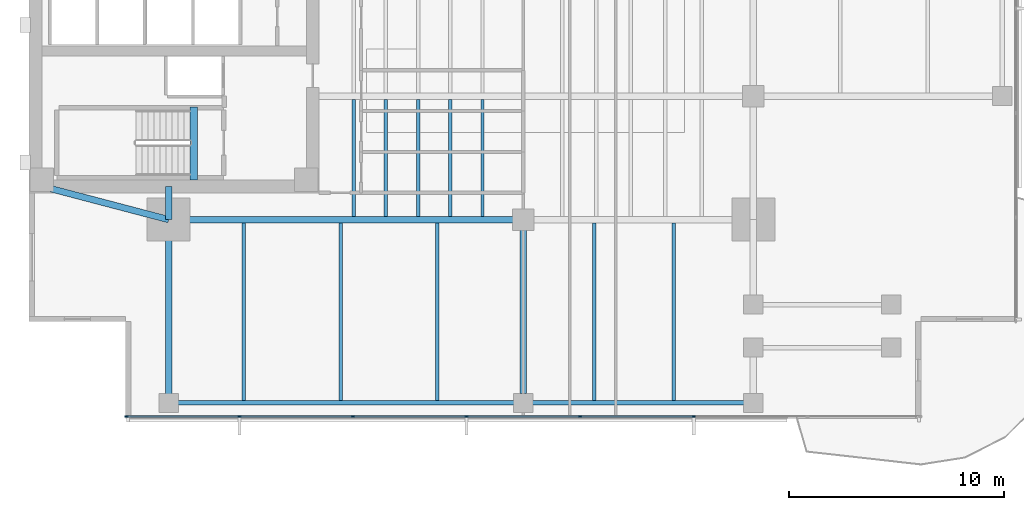
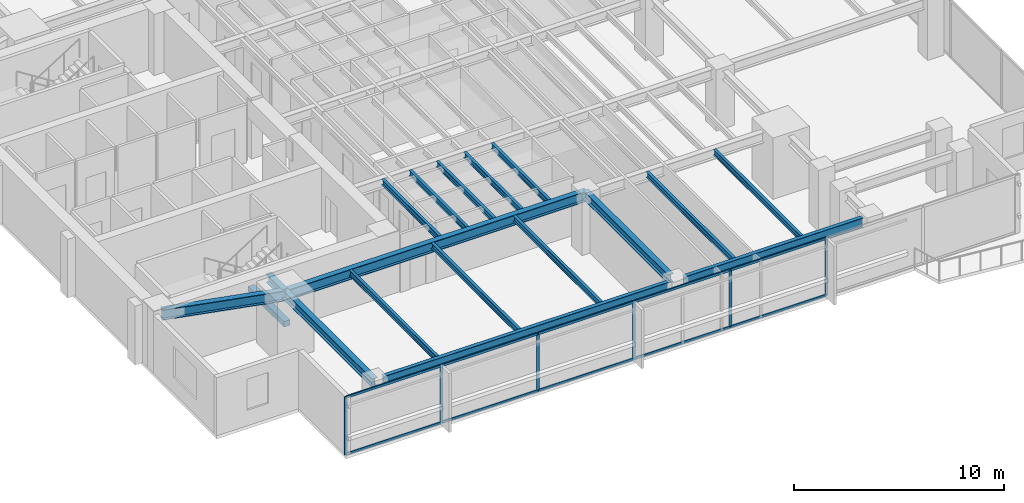
# One storey, part 2 of 14: 18 beams, 16 members, 1 element without a shape of its own.
"""IFC4 building model written with IfcOpenShell, lengths in metres."""

from ifc_helpers import new_model, si_unit, direction, frame, origin, origin_2d, place, context, subcontext, project, spatial, rectangle, i_section, extrude, material, layer, layer_set, material_profile, profile_set, type_object, element, aggregate, save


model = new_model("IFC4")

# Units and contexts
model_context = context("Model", 3, precision=1e-05, world=origin(), true_north=direction((0.0, 1.0)))
body_context = subcontext(model_context, "Body", "Model", "MODEL_VIEW")
ifc_project = project(units=[si_unit("LENGTHUNIT", "METRE"), si_unit("AREAUNIT", "SQUARE_METRE"), si_unit("VOLUMEUNIT", "CUBIC_METRE"), si_unit("PLANEANGLEUNIT", "RADIAN"), si_unit("MASSUNIT", "GRAM", prefix="KILO")], contexts=[model_context])

# Site, building, storey
site_placement = place(None, origin())
site = spatial("IfcSite", under=ifc_project, at=site_placement, CompositionType="ELEMENT")
building_placement = place(site_placement, origin())
building = spatial("IfcBuilding", under=site, at=building_placement, Name="Kinhvarn Gate Tower", CompositionType="ELEMENT")
storey_placement = place(building_placement, frame((0.0, 0.0, 162.60009765625)))
storey = spatial("IfcBuildingStorey", under=building, at=storey_placement, Name="L43", CompositionType="ELEMENT", Elevation=162.60009765625)

# Beam
ifc_material_1 = material(Name="Concrete C50/60", Category="concrete")
ifc_material_profile_1 = material_profile(ifc_material_1, rectangle(XDim=0.340087890625, YDim=0.320068359375, at=origin_2d()), Name="RC 340x320")
ifc_profile_set_1 = profile_set([ifc_material_profile_1], Name="Concrete C50/60")
beam_type_1 = type_object("IfcBeamType", Name="BM-LND-500", PredefinedType="BEAM", material=ifc_profile_set_1)
beam_1_placement = place(storey_placement, frame((12.1650390625, 14.60009765625, -0.16015625), z_axis=(0.0, 1.0, 0.0), x_axis=(-1.0, 0.0, 0.0)))
element("IfcBeam", 1, at=beam_1_placement, inside=storey, type_object=beam_type_1, Name="Stair ST1 Landing Nosing Beam (L43)", PredefinedType="BEAM", context=body_context, shape_type="SweptSolid", body=[
    extrude(rectangle(XDim=0.340087890625, YDim=0.320068359375, at=origin_2d()), origin(), (0.0, 0.0, 1.0), 3.39990234375),
])

# Curtain wall, members
ifc_material_2 = material(Name="Anodised aluminium AW-6063", Category="aluminium")
ifc_layer = layer(ifc_material_2, 0.179931640625)
ifc_layer_set = layer_set([ifc_layer], Name="Anodised aluminium AW-6063")
curtain_wall_type = type_object("IfcCurtainWallType", Name="CW-SYS-3", PredefinedType="NOTDEFINED", material=ifc_layer_set)
curtain_wall_placement = place(storey_placement, origin())
curtain_wall = element("IfcCurtainWall", 2, at=curtain_wall_placement, inside=storey, type_object=curtain_wall_type, Name="Curtain Wall CW3 (L43)", PredefinedType="NOTDEFINED")
ifc_material_profile_2 = material_profile(ifc_material_2, rectangle(XDim=0.06494140625, YDim=0.159912109375, at=origin_2d()), Name="ALU 65x160")
ifc_profile_set_2 = profile_set([ifc_material_profile_2], Name="Anodised aluminium AW-6063")
member_type_1 = type_object("IfcMemberType", Name="CW-MUL-160", PredefinedType="MULLION", material=ifc_profile_set_2)
member_1_placement = place(storey_placement, frame((9.032470703125, 3.590087890625, 0.0), z_axis=(0.0, 0.0, 1.0), x_axis=(0.0, 1.0, 0.0)))
member_1 = element("IfcMember", 3, at=member_1_placement, type_object=member_type_1, Name="CW3 mullion 1", PredefinedType="MULLION", context=body_context, shape_type="SweptSolid", body=[
    extrude(rectangle(XDim=0.06494140625, YDim=0.159912109375, at=origin_2d()), origin(), (0.0, 0.0, 1.0), 3.369873046875),
])
member_2_placement = place(storey_placement, frame((14.28564453125, 3.590087890625, 0.0), z_axis=(0.0, 0.0, 1.0), x_axis=(0.0, 1.0, 0.0)))
member_2 = element("IfcMember", 4, at=member_2_placement, type_object=member_type_1, Name="CW3 mullion 2", PredefinedType="MULLION", context=body_context, shape_type="SweptSolid", body=[
    extrude(rectangle(XDim=0.06494140625, YDim=0.159912109375, at=origin_2d()), origin(), (0.0, 0.0, 1.0), 3.369873046875),
])
member_3_placement = place(storey_placement, frame((19.571533203125, 3.590087890625, 0.0), z_axis=(0.0, 0.0, 1.0), x_axis=(0.0, 1.0, 0.0)))
member_3 = element("IfcMember", 5, at=member_3_placement, type_object=member_type_1, Name="CW3 mullion 3", PredefinedType="MULLION", context=body_context, shape_type="SweptSolid", body=[
    extrude(rectangle(XDim=0.06494140625, YDim=0.159912109375, at=origin_2d()), origin(), (0.0, 0.0, 1.0), 3.369873046875),
])
member_4_placement = place(storey_placement, frame((24.857177734375, 3.590087890625, 0.0), z_axis=(0.0, 0.0, 1.0), x_axis=(0.0, 1.0, 0.0)))
member_4 = element("IfcMember", 6, at=member_4_placement, type_object=member_type_1, Name="CW3 mullion 4", PredefinedType="MULLION", context=body_context, shape_type="SweptSolid", body=[
    extrude(rectangle(XDim=0.06494140625, YDim=0.159912109375, at=origin_2d()), origin(), (0.0, 0.0, 1.0), 3.369873046875),
])
member_5_placement = place(storey_placement, frame((30.142822265625, 3.590087890625, 0.0), z_axis=(0.0, 0.0, 1.0), x_axis=(0.0, 1.0, 0.0)))
member_5 = element("IfcMember", 7, at=member_5_placement, type_object=member_type_1, Name="CW3 mullion 5", PredefinedType="MULLION", context=body_context, shape_type="SweptSolid", body=[
    extrude(rectangle(XDim=0.06494140625, YDim=0.159912109375, at=origin_2d()), origin(), (0.0, 0.0, 1.0), 3.369873046875),
])
member_6_placement = place(storey_placement, frame((35.428466796875, 3.590087890625, 0.0), z_axis=(0.0, 0.0, 1.0), x_axis=(0.0, 1.0, 0.0)))
member_6 = element("IfcMember", 8, at=member_6_placement, type_object=member_type_1, Name="CW3 mullion 6", PredefinedType="MULLION", context=body_context, shape_type="SweptSolid", body=[
    extrude(rectangle(XDim=0.06494140625, YDim=0.159912109375, at=origin_2d()), origin(), (0.0, 0.0, 1.0), 3.369873046875),
])
ifc_material_profile_3 = material_profile(ifc_material_2, rectangle(XDim=0.070068359375, YDim=0.139892578125, at=origin_2d()), Name="ALU 70x140")
ifc_profile_set_3 = profile_set([ifc_material_profile_3], Name="Anodised aluminium AW-6063")
member_type_2 = type_object("IfcMemberType", Name="CW-TRN-140", PredefinedType="USERDEFINED", material=ifc_profile_set_3)
member_7_placement = place(storey_placement, frame((9.06494140625, 3.590087890625, 0.034912109375), z_axis=(1.0, 0.0, 0.0), x_axis=(0.0, 1.0, 0.0)))
member_7 = element("IfcMember", 9, at=member_7_placement, type_object=member_type_2, Name="CW3 transom 1.1", ObjectType="TRANSOM", PredefinedType="USERDEFINED", context=body_context, shape_type="SweptSolid", body=[
    extrude(rectangle(XDim=0.070068359375, YDim=0.139892578125, at=origin_2d()), origin(), (0.0, 0.0, 1.0), 5.188232421875),
])
member_8_placement = place(storey_placement, frame((9.06494140625, 3.590087890625, 3.3349609375), z_axis=(1.0, 0.0, 0.0), x_axis=(0.0, 1.0, 0.0)))
member_8 = element("IfcMember", 10, at=member_8_placement, type_object=member_type_2, Name="CW3 transom 1.2", ObjectType="TRANSOM", PredefinedType="USERDEFINED", context=body_context, shape_type="SweptSolid", body=[
    extrude(rectangle(XDim=0.070068359375, YDim=0.139892578125, at=origin_2d()), origin(), (0.0, 0.0, 1.0), 5.188232421875),
])
member_9_placement = place(storey_placement, frame((14.318115234375, 3.590087890625, 0.034912109375), z_axis=(1.0, 0.0, 0.0), x_axis=(0.0, 1.0, 0.0)))
member_9 = element("IfcMember", 11, at=member_9_placement, type_object=member_type_2, Name="CW3 transom 2.1", ObjectType="TRANSOM", PredefinedType="USERDEFINED", context=body_context, shape_type="SweptSolid", body=[
    extrude(rectangle(XDim=0.070068359375, YDim=0.139892578125, at=origin_2d()), origin(), (0.0, 0.0, 1.0), 5.220703125),
])
member_10_placement = place(storey_placement, frame((14.318115234375, 3.590087890625, 3.3349609375), z_axis=(1.0, 0.0, 0.0), x_axis=(0.0, 1.0, 0.0)))
member_10 = element("IfcMember", 12, at=member_10_placement, type_object=member_type_2, Name="CW3 transom 2.2", ObjectType="TRANSOM", PredefinedType="USERDEFINED", context=body_context, shape_type="SweptSolid", body=[
    extrude(rectangle(XDim=0.070068359375, YDim=0.139892578125, at=origin_2d()), origin(), (0.0, 0.0, 1.0), 5.220703125),
])
member_11_placement = place(storey_placement, frame((19.60400390625, 3.590087890625, 0.034912109375), z_axis=(1.0, 0.0, 0.0), x_axis=(0.0, 1.0, 0.0)))
member_11 = element("IfcMember", 13, at=member_11_placement, type_object=member_type_2, Name="CW3 transom 3.1", ObjectType="TRANSOM", PredefinedType="USERDEFINED", context=body_context, shape_type="SweptSolid", body=[
    extrude(rectangle(XDim=0.070068359375, YDim=0.139892578125, at=origin_2d()), origin(), (0.0, 0.0, 1.0), 5.220703125),
])
member_12_placement = place(storey_placement, frame((19.60400390625, 3.590087890625, 3.3349609375), z_axis=(1.0, 0.0, 0.0), x_axis=(0.0, 1.0, 0.0)))
member_12 = element("IfcMember", 14, at=member_12_placement, type_object=member_type_2, Name="CW3 transom 3.2", ObjectType="TRANSOM", PredefinedType="USERDEFINED", context=body_context, shape_type="SweptSolid", body=[
    extrude(rectangle(XDim=0.070068359375, YDim=0.139892578125, at=origin_2d()), origin(), (0.0, 0.0, 1.0), 5.220703125),
])
member_13_placement = place(storey_placement, frame((24.8896484375, 3.590087890625, 0.034912109375), z_axis=(1.0, 0.0, 0.0), x_axis=(0.0, 1.0, 0.0)))
member_13 = element("IfcMember", 15, at=member_13_placement, type_object=member_type_2, Name="CW3 transom 4.1", ObjectType="TRANSOM", PredefinedType="USERDEFINED", context=body_context, shape_type="SweptSolid", body=[
    extrude(rectangle(XDim=0.070068359375, YDim=0.139892578125, at=origin_2d()), origin(), (0.0, 0.0, 1.0), 5.220703125),
])
member_14_placement = place(storey_placement, frame((24.8896484375, 3.590087890625, 3.3349609375), z_axis=(1.0, 0.0, 0.0), x_axis=(0.0, 1.0, 0.0)))
member_14 = element("IfcMember", 16, at=member_14_placement, type_object=member_type_2, Name="CW3 transom 4.2", ObjectType="TRANSOM", PredefinedType="USERDEFINED", context=body_context, shape_type="SweptSolid", body=[
    extrude(rectangle(XDim=0.070068359375, YDim=0.139892578125, at=origin_2d()), origin(), (0.0, 0.0, 1.0), 5.220703125),
])
member_15_placement = place(storey_placement, frame((30.17529296875, 3.590087890625, 0.034912109375), z_axis=(1.0, 0.0, 0.0), x_axis=(0.0, 1.0, 0.0)))
member_15 = element("IfcMember", 17, at=member_15_placement, type_object=member_type_2, Name="CW3 transom 5.1", ObjectType="TRANSOM", PredefinedType="USERDEFINED", context=body_context, shape_type="SweptSolid", body=[
    extrude(rectangle(XDim=0.070068359375, YDim=0.139892578125, at=origin_2d()), origin(), (0.0, 0.0, 1.0), 5.220703125),
])
member_16_placement = place(storey_placement, frame((30.17529296875, 3.590087890625, 3.3349609375), z_axis=(1.0, 0.0, 0.0), x_axis=(0.0, 1.0, 0.0)))
member_16 = element("IfcMember", 18, at=member_16_placement, type_object=member_type_2, Name="CW3 transom 5.2", ObjectType="TRANSOM", PredefinedType="USERDEFINED", context=body_context, shape_type="SweptSolid", body=[
    extrude(rectangle(XDim=0.070068359375, YDim=0.139892578125, at=origin_2d()), origin(), (0.0, 0.0, 1.0), 5.220703125),
])
aggregate(curtain_wall, [member_1, member_2, member_3, member_4, member_5, member_6, member_7, member_8, member_9, member_10, member_11, member_12, member_13, member_14, member_15, member_16])

# Beams
ifc_material_3 = material(Name="Steel S355", Category="steel")
ifc_material_profile_4 = material_profile(ifc_material_3, i_section(OverallWidth=0.300048828125, OverallDepth=0.5, WebThickness=0.014404296875, FlangeThickness=0.028076171875, at=origin_2d()), Name="HEB 500")
ifc_profile_set_4 = profile_set([ifc_material_profile_4], Name="Steel S355")
beam_type_2 = type_object("IfcBeamType", Name="STL-HEB500", PredefinedType="BEAM", material=ifc_profile_set_4)
beam_2_placement = place(storey_placement, frame((11.0, 4.219970703125, 3.119873046875), z_axis=(0.0, 1.0, 0.0), x_axis=(-1.0, 0.0, 0.0)))
element("IfcBeam", 19, at=beam_2_placement, inside=storey, type_object=beam_type_2, Name="Floor Beam PG-14 (L43 MCW-S)", PredefinedType="BEAM", context=body_context, shape_type="SweptSolid", body=[
    extrude(i_section(OverallWidth=0.300048828125, OverallDepth=0.5, WebThickness=0.014404296875, FlangeThickness=0.028076171875, at=origin_2d()), origin(), (0.0, 0.0, 1.0), 8.530029296875),
])
beam_3_placement = place(storey_placement, frame((11.0, 12.75, 3.119873046875), z_axis=(0.0, 1.0, 0.0), x_axis=(-1.0, 0.0, 0.0)))
element("IfcBeam", 20, at=beam_3_placement, inside=storey, type_object=beam_type_2, Name="Floor Beam PG-14 (L43 MCW-CS)", PredefinedType="BEAM", context=body_context, shape_type="SweptSolid", body=[
    extrude(i_section(OverallWidth=0.300048828125, OverallDepth=0.5, WebThickness=0.014404296875, FlangeThickness=0.028076171875, at=origin_2d()), origin(), (0.0, 0.0, 1.0), 1.550048828125),
])
beam_4_placement = place(storey_placement, frame((27.5, 4.655029296875, 3.119873046875), z_axis=(0.0, 1.0, 0.0), x_axis=(-1.0, 0.0, 0.0)))
element("IfcBeam", 21, at=beam_4_placement, inside=storey, type_object=beam_type_2, Name="Floor Beam PG-14 (L43 SP27-S-TIE)", PredefinedType="BEAM", context=body_context, shape_type="SweptSolid", body=[
    extrude(i_section(OverallWidth=0.300048828125, OverallDepth=0.5, WebThickness=0.014404296875, FlangeThickness=0.028076171875, at=origin_2d()), origin(), (0.0, 0.0, 1.0), 8.094970703125),
])
ifc_material_profile_5 = material_profile(ifc_material_3, i_section(OverallWidth=0.300048828125, OverallDepth=0.60009765625, WebThickness=0.015380859375, FlangeThickness=0.030029296875, at=origin_2d()), Name="HEB 600")
ifc_profile_set_5 = profile_set([ifc_material_profile_5], Name="Steel S355")
beam_type_3 = type_object("IfcBeamType", Name="STL-HEB600", PredefinedType="BEAM", material=ifc_profile_set_5)
beam_5_placement = place(storey_placement, frame((11.0, 12.75, 3.06982421875), z_axis=(1.0, 0.0, 0.0), x_axis=(0.0, 1.0, 0.0)))
element("IfcBeam", 22, at=beam_5_placement, inside=storey, type_object=beam_type_3, Name="Floor Beam PG-16 (L43 MG-S1)", PredefinedType="BEAM", context=body_context, shape_type="SweptSolid", body=[
    extrude(i_section(OverallWidth=0.300048828125, OverallDepth=0.60009765625, WebThickness=0.015380859375, FlangeThickness=0.030029296875, at=origin_2d()), origin(), (0.0, 0.0, 1.0), 16.5),
])
beam_6_placement = place(storey_placement, frame((5.10009765625, 14.300048828125, 3.06982421875), z_axis=(0.967177623957, -0.254101246979, 0.0), x_axis=(0.254101246979, 0.967177623957, 0.0)))
element("IfcBeam", 23, at=beam_6_placement, inside=storey, type_object=beam_type_3, Name="Floor Beam PG-16 (L43 MG-SW-DIAG)", PredefinedType="BEAM", context=body_context, shape_type="SweptSolid", body=[
    extrude(i_section(OverallWidth=0.300048828125, OverallDepth=0.60009765625, WebThickness=0.015380859375, FlangeThickness=0.030029296875, at=origin_2d()), origin(), (0.0, 0.0, 1.0), 6.10009765625),
])
ifc_material_profile_6 = material_profile(ifc_material_3, i_section(OverallWidth=0.159912109375, OverallDepth=0.330078125, WebThickness=0.007568359375, FlangeThickness=0.011474609375, at=origin_2d()), Name="IPE 330")
ifc_profile_set_6 = profile_set([ifc_material_profile_6], Name="Steel S355")
beam_type_4 = type_object("IfcBeamType", Name="STL-IPE330", PredefinedType="JOIST", material=ifc_profile_set_6)
for number, where, z_axis, x_axis, name in (
    (24, (19.60009765625, 12.89990234375, 3.204833984375), (0.0, 1.0, 0.0), (-1.0, 0.0, 0.0), "Floor Joist SB-03 (L43 JC-X196-0)"),
    (25, (21.10009765625, 12.89990234375, 3.204833984375), (0.0, 1.0, 0.0), (-1.0, 0.0, 0.0), "Floor Joist SB-03 (L43 JC-X211-0)"),
    (26, (22.60009765625, 12.89990234375, 3.204833984375), (0.0, 1.0, 0.0), (-1.0, 0.0, 0.0), "Floor Joist SB-03 (L43 JC-X226-0)"),
    (27, (24.10009765625, 12.89990234375, 3.204833984375), (0.0, 1.0, 0.0), (-1.0, 0.0, 0.0), "Floor Joist SB-03 (L43 JC-X241-0)"),
    (28, (25.60009765625, 12.89990234375, 3.204833984375), (0.0, 1.0, 0.0), (-1.0, 0.0, 0.0), "Floor Joist SB-03 (L43 JC-X256-0)"),
):
    element("IfcBeam", number, at=place(storey_placement, frame(where, z_axis=z_axis, x_axis=x_axis)), inside=storey, type_object=beam_type_4, Name=name, PredefinedType="JOIST", context=body_context, shape_type="SweptSolid", body=[
        extrude(i_section(OverallWidth=0.159912109375, OverallDepth=0.330078125, WebThickness=0.007568359375, FlangeThickness=0.011474609375, at=origin_2d()), origin(), (0.0, 0.0, 1.0), 5.4501953125),
    ])
for number, where, z_axis, x_axis, name in (
    (29, (14.5, 4.324951171875, 3.204833984375), (0.0, 1.0, 0.0), (-1.0, 0.0, 0.0), "Floor Joist SB-03 (L43 JS-X145)"),
    (30, (19.0, 4.324951171875, 3.204833984375), (0.0, 1.0, 0.0), (-1.0, 0.0, 0.0), "Floor Joist SB-03 (L43 JS-X190)"),
    (31, (23.5, 4.324951171875, 3.204833984375), (0.0, 1.0, 0.0), (-1.0, 0.0, 0.0), "Floor Joist SB-03 (L43 JS-X235)"),
    (32, (30.800048828125, 4.324951171875, 3.204833984375), (0.0, 1.0, 0.0), (-1.0, 0.0, 0.0), "Floor Joist SB-03 (L43 JS-X308)"),
    (33, (34.5, 4.324951171875, 3.204833984375), (0.0, 1.0, 0.0), (-1.0, 0.0, 0.0), "Floor Joist SB-03 (L43 JS-X345)"),
):
    element("IfcBeam", number, at=place(storey_placement, frame(where, z_axis=z_axis, x_axis=x_axis)), inside=storey, type_object=beam_type_4, Name=name, PredefinedType="JOIST", context=body_context, shape_type="SweptSolid", body=[
        extrude(i_section(OverallWidth=0.159912109375, OverallDepth=0.330078125, WebThickness=0.007568359375, FlangeThickness=0.011474609375, at=origin_2d()), origin(), (0.0, 0.0, 1.0), 8.275146484375),
    ])
ifc_material_profile_7 = material_profile(ifc_material_3, i_section(OverallWidth=0.2099609375, OverallDepth=0.550048828125, WebThickness=0.010986328125, FlangeThickness=0.01708984375, at=origin_2d()), Name="IPE 550")
ifc_profile_set_7 = profile_set([ifc_material_profile_7], Name="Steel S355")
beam_type_5 = type_object("IfcBeamType", Name="STL-IPE550", PredefinedType="SPANDREL", material=ifc_profile_set_7)
beam_7_placement = place(storey_placement, frame((11.43505859375, 4.219970703125, 3.094970703125), z_axis=(1.0, 0.0, 0.0), x_axis=(0.0, 1.0, 0.0)))
element("IfcBeam", 34, at=beam_7_placement, inside=storey, type_object=beam_type_5, Name="Floor Spandrel SB-08 (L43 SP-S1)", PredefinedType="SPANDREL", context=body_context, shape_type="SweptSolid", body=[
    extrude(i_section(OverallWidth=0.2099609375, OverallDepth=0.550048828125, WebThickness=0.010986328125, FlangeThickness=0.01708984375, at=origin_2d()), origin(), (0.0, 0.0, 1.0), 15.6298828125),
])
beam_8_placement = place(storey_placement, frame((27.93505859375, 4.219970703125, 3.094970703125), z_axis=(1.0, 0.0, 0.0), x_axis=(0.0, 1.0, 0.0)))
element("IfcBeam", 35, at=beam_8_placement, inside=storey, type_object=beam_type_5, Name="Floor Spandrel SB-08 (L43 SP-S2)", PredefinedType="SPANDREL", context=body_context, shape_type="SweptSolid", body=[
    extrude(i_section(OverallWidth=0.2099609375, OverallDepth=0.550048828125, WebThickness=0.010986328125, FlangeThickness=0.01708984375, at=origin_2d()), origin(), (0.0, 0.0, 1.0), 9.829833984375),
])

save(model, "model.ifc")
